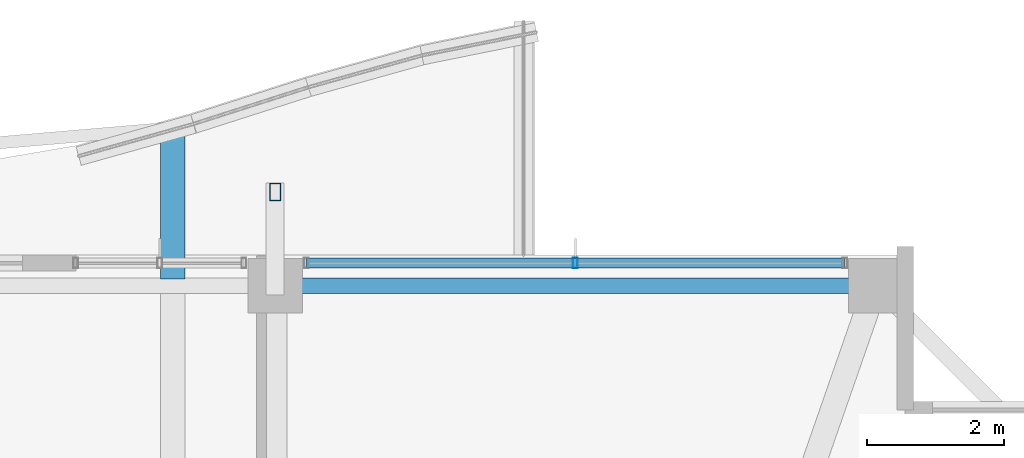
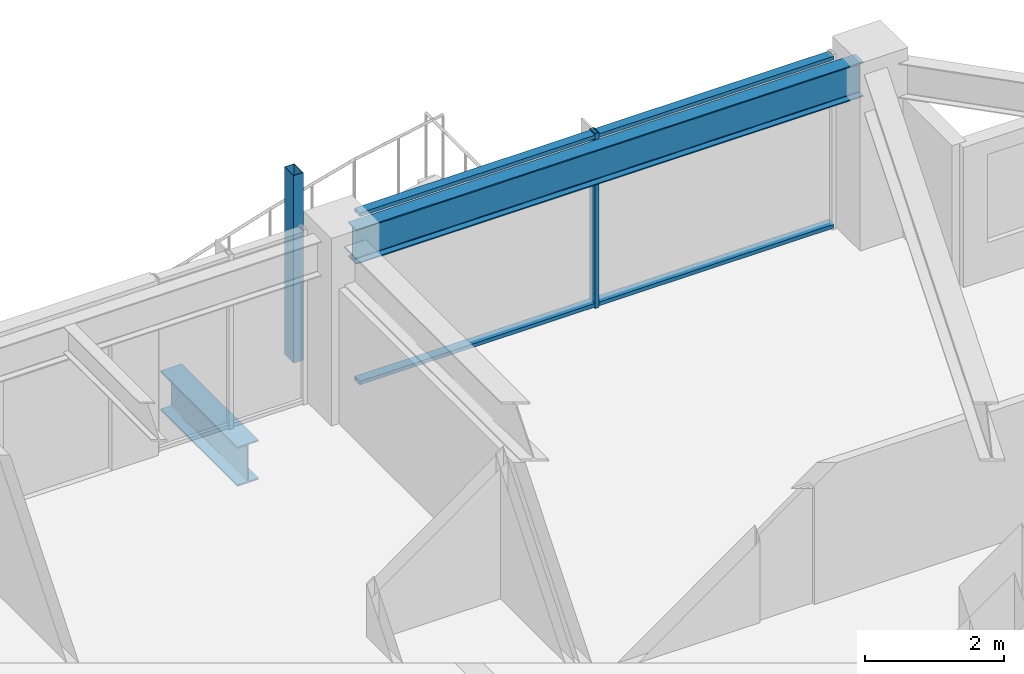
# One storey, part 21 of 38: 4 members, 2 beams, 1 element without a shape of its own.
"""IFC4 building model written with IfcOpenShell, lengths in metres."""

import ifcopenshell
import ifcopenshell.guid

model = None  # the IFC model being written
_history = None  # IfcOwnerHistory: only IFC2X3 demands one
_inside = {}  # id of a spatial element -> (the spatial element, [elements in it])
_under = {}  # id of a project, library or spatial element -> (it, [spatial elements below it])
_declared = {}  # id of a project -> (the project, [libraries it declares])
_typed = {}  # id of a type object -> (the type object, [elements of that type])
_made_of = {}  # id of a material, layer set ... -> (it, [elements and type objects made of it])


def new_model(schema):
    """Start an empty IFC model of exactly this schema.

    Asked for "IFC4X3", IfcOpenShell would pick the latest addendum, in which some entities
    have other attributes; the version numbers below select the first issue.
    IFC2X3 requires an IfcOwnerHistory on every rooted entity: one is made here for all.
    """
    global model, _history
    if schema == "IFC4X3":
        model = ifcopenshell.file(schema_version=(4, 3, 0, 0))
    else:
        model = ifcopenshell.file(schema=schema)
    _inside.clear()
    _under.clear()
    _declared.clear()
    _typed.clear()
    _made_of.clear()
    _history = None
    if model.schema == "IFC2X3":
        org = make("IfcOrganization", Name="unknown")
        user = make(
            "IfcPersonAndOrganization",
            ThePerson=make("IfcPerson", FamilyName="unknown"),
            TheOrganization=org,
        )
        app = make(
            "IfcApplication",
            ApplicationDeveloper=org,
            Version="unknown",
            ApplicationFullName="unknown",
            ApplicationIdentifier="unknown",
        )
        _history = make(
            "IfcOwnerHistory",
            OwningUser=user,
            OwningApplication=app,
            ChangeAction="ADDED",
            CreationDate=0,
        )
    return model


def make(cls, **values):
    """One entity of the class cls with the attributes given. An attribute that is None is left unset."""
    return model.create_entity(
        cls, **{name: value for name, value in values.items() if value is not None}
    )


def rooted(cls, **values):
    """An entity with a GlobalId (a new one), such as an element, a storey or a relation."""
    return make(cls, GlobalId=ifcopenshell.guid.new(), OwnerHistory=_history, **values)


def si_unit(unit_type, name, prefix=None):
    """IfcSIUnit, for example si_unit("LENGTHUNIT", "METRE", prefix="MILLI")."""
    return make("IfcSIUnit", UnitType=unit_type, Prefix=prefix, Name=name)


def assignment(units):
    """IfcUnitAssignment: the units of a project."""
    return None if units is None else make("IfcUnitAssignment", Units=units)


def point(xyz):
    """IfcCartesianPoint."""
    return None if xyz is None else make("IfcCartesianPoint", Coordinates=xyz)


def direction(xyz):
    """IfcDirection."""
    return None if xyz is None else make("IfcDirection", DirectionRatios=xyz)


def frame(location, z_axis=None, x_axis=None):
    """IfcAxis2Placement3D, a coordinate frame: its origin and axes. An axis left out is left unset."""
    return make(
        "IfcAxis2Placement3D",
        Location=point(location),
        Axis=direction(z_axis),
        RefDirection=direction(x_axis),
    )


def frame_2d(location, x_axis=None):
    """IfcAxis2Placement2D, a coordinate frame in the plane: its origin and x axis."""
    return make(
        "IfcAxis2Placement2D", Location=point(location), RefDirection=direction(x_axis)
    )


def origin():
    """The frame at (0, 0, 0) with its axes left unset."""
    return frame((0.0, 0.0, 0.0))


def origin_2d():
    """The frame at (0, 0) in the plane with its x axis left unset."""
    return frame_2d((0.0, 0.0))


def place(relative_to, where):
    """IfcLocalPlacement: puts the frame where relative to a parent placement (None: the world)."""
    return make(
        "IfcLocalPlacement", PlacementRelTo=relative_to, RelativePlacement=where
    )


def context(
    kind, dimensions, precision=None, world=None, true_north=None, identifier=None
):
    """IfcGeometricRepresentationContext, for example the 3D "Model" context."""
    return make(
        "IfcGeometricRepresentationContext",
        ContextIdentifier=identifier,
        ContextType=kind,
        CoordinateSpaceDimension=dimensions,
        Precision=precision,
        WorldCoordinateSystem=world,
        TrueNorth=true_north,
    )


def subcontext(parent, identifier, kind, view, scale=None):
    """IfcGeometricRepresentationSubContext, for example "Body" below "Model"."""
    return make(
        "IfcGeometricRepresentationSubContext",
        ContextIdentifier=identifier,
        ContextType=kind,
        ParentContext=parent,
        TargetScale=scale,
        TargetView=view,
    )


def project(units=None, contexts=None):
    """IfcProject with its units and contexts."""
    return rooted(
        "IfcProject",
        Name="project",
        RepresentationContexts=contexts,
        UnitsInContext=assignment(units),
    )


def spatial(cls, under=None, at=None, **own):
    """A site, building, storey or space (cls), placed at a placement, below another one or the project."""
    s = rooted(cls, ObjectPlacement=at, **own)
    if under is not None:
        _under.setdefault(under.id(), (under, []))[1].append(s)
    return s


def profile(cls, at=None, kind="AREA", **sizes):
    """A parametric profile (cls). Its sizes go by their IFC names, for example OverallWidth=200.0."""
    return make(cls, ProfileType=kind, Position=at, **sizes)


def hollow_rectangle(**sizes):
    """IfcRectangleHollowProfileDef."""
    return profile("IfcRectangleHollowProfileDef", **sizes)


def i_section(**sizes):
    """IfcIShapeProfileDef."""
    return profile("IfcIShapeProfileDef", **sizes)


def extrude(swept, where, along, depth):
    """IfcExtrudedAreaSolid: the profile swept, set in the frame where, extruded along a direction by depth."""
    return make(
        "IfcExtrudedAreaSolid",
        SweptArea=swept,
        Position=where,
        ExtrudedDirection=direction(along),
        Depth=depth,
    )


def shape(context_of_items, identifier, shape_type, items):
    """IfcShapeRepresentation: the items that make up one representation, for example the "Body"."""
    return make(
        "IfcShapeRepresentation",
        ContextOfItems=context_of_items,
        RepresentationIdentifier=identifier,
        RepresentationType=shape_type,
        Items=items,
    )


def material(Name=None, Category=None):
    """IfcMaterial."""
    return make("IfcMaterial", Name=Name, Category=Category)


def material_profile(
    of_material, cross_section, Name=None, Category=None, Priority=None
):
    """IfcMaterialProfile: a cross section and its material."""
    return make(
        "IfcMaterialProfile",
        Name=Name,
        Material=of_material,
        Profile=cross_section,
        Priority=Priority,
        Category=Category,
    )


def profile_set(profiles, Name=None, composite=None):
    """IfcMaterialProfileSet."""
    return make(
        "IfcMaterialProfileSet",
        Name=Name,
        MaterialProfiles=profiles,
        CompositeProfile=composite,
    )


def made_of(thing, what):
    """Note that an element or type object is made of a material, layer set ...; save() writes the relation."""
    if what is not None:
        _made_of.setdefault(what.id(), (what, []))[1].append(thing)
    return thing


def type_object(cls, material=None, **own):
    """A type object (cls), such as IfcWallType, which elements share."""
    return made_of(rooted(cls, **own), material)


def element(
    cls,
    number,
    at=None,
    inside=None,
    cuts=None,
    type_object=None,
    material=None,
    context=None,
    identifier="Body",
    shape_type=None,
    held_by="IfcProductDefinitionShape",
    body=None,
    shapes=None,
    **own,
):
    """One element of the class cls, such as IfcWall. Its Tag is "e" and its number.

    at: its placement. inside: the storey or other place that contains it. cuts: it is an
    opening in that element (IfcRelVoidsElement). A single representation is given by context,
    identifier, shape_type and body (its items); several are given by shapes. held_by: the class
    of the entity that holds the representations. save() writes the other relations.
    """
    e = rooted(cls, Tag="e%d" % number, ObjectPlacement=at, **own)
    if body is not None:
        shapes = [shape(context, identifier, shape_type, body)]
    if shapes is not None:
        e.Representation = make(held_by, Representations=shapes)
    if inside is not None:
        _inside.setdefault(inside.id(), (inside, []))[1].append(e)
    if cuts is not None:
        rooted(
            "IfcRelVoidsElement", RelatingBuildingElement=cuts, RelatedOpeningElement=e
        )
    if type_object is not None:
        _typed.setdefault(type_object.id(), (type_object, []))[1].append(e)
    return made_of(e, material)


def aggregate(whole, parts):
    """IfcRelAggregates: a whole, such as a stair, and the parts it consists of."""
    return rooted("IfcRelAggregates", RelatingObject=whole, RelatedObjects=parts)


def save(model, path):
    """Write the relations noted so far, then the file.

    IfcRelAggregates (storeys below a building ...), IfcRelContainedInSpatialStructure (elements
    in a storey), IfcRelDefinesByType, IfcRelAssociatesMaterial and IfcRelDeclares: one each for
    every whole, place, type object, material and project.
    """
    for whole, parts in _under.values():
        aggregate(whole, parts)
    for where, things in _inside.values():
        rooted(
            "IfcRelContainedInSpatialStructure",
            RelatedElements=things,
            RelatingStructure=where,
        )
    for kind, things in _typed.values():
        rooted("IfcRelDefinesByType", RelatedObjects=things, RelatingType=kind)
    for what, things in _made_of.values():
        rooted("IfcRelAssociatesMaterial", RelatedObjects=things, RelatingMaterial=what)
    for by, libraries in _declared.values():
        rooted("IfcRelDeclares", RelatingContext=by, RelatedDefinitions=libraries)
    model.write(path)


model = new_model("IFC4")

# Units and contexts
model_context = context("Model", 3, precision=1e-05, world=origin(), true_north=direction((0.0, 1.0)))
body_context = subcontext(model_context, "Body", "Model", "MODEL_VIEW")
ifc_project = project(units=[si_unit("LENGTHUNIT", "METRE"), si_unit("AREAUNIT", "SQUARE_METRE"), si_unit("VOLUMEUNIT", "CUBIC_METRE"), si_unit("PLANEANGLEUNIT", "RADIAN"), si_unit("MASSUNIT", "GRAM", prefix="KILO")], contexts=[model_context])

# Site, building, storey
site_placement = place(None, origin())
site = spatial("IfcSite", under=ifc_project, at=site_placement, CompositionType="ELEMENT")
building_placement = place(site_placement, origin())
building = spatial("IfcBuilding", under=site, at=building_placement, Name="Kolvaren Belvedere", CompositionType="ELEMENT")
storey_placement = place(building_placement, frame((0.0, 0.0, 213.0)))
storey = spatial("IfcBuildingStorey", under=building, at=storey_placement, Name="L62", CompositionType="ELEMENT", Elevation=213.0)

# Beams
ifc_material_1 = material(Name="Structural steel ASTM A992 Grade 50", Category="steel")
ifc_material_profile_1 = material_profile(ifc_material_1, i_section(OverallWidth=0.35498046875, OverallDepth=0.696044921875, WebThickness=0.015380859375, FlangeThickness=0.02490234375, FilletRadius=0.02197265625, at=origin_2d()), Name="W27X146")
ifc_profile_set_1 = profile_set([ifc_material_profile_1], Name="Structural steel ASTM A992 Grade 50")
beam_type_1 = type_object("IfcBeamType", Name="BM-CANT-BAL", PredefinedType="BEAM", material=ifc_profile_set_1)
beam_1_placement = place(storey_placement, frame((3.10009765625, 20.044921875, -0.568115234375), z_axis=(0.0, 1.0, 0.0), x_axis=(-1.0, 0.0, 0.0)))
element("IfcBeam", 1, at=beam_1_placement, inside=storey, type_object=beam_type_1, Name="L62 Planted Balcony Cantilever BAL-N-2", PredefinedType="BEAM", context=body_context, shape_type="SweptSolid", body=[
    extrude(i_section(OverallWidth=0.35498046875, OverallDepth=0.696044921875, WebThickness=0.015380859375, FlangeThickness=0.02490234375, FilletRadius=0.02197265625, at=origin_2d()), origin(), (0.0, 0.0, 1.0), 2.213623046875),
])
ifc_material_2 = material(Name="Structural steel ASTM A992 Grade 50", Category="steel")
ifc_material_profile_2 = material_profile(ifc_material_2, i_section(OverallWidth=0.22900390625, OverallDepth=0.612060546875, WebThickness=0.011962890625, FlangeThickness=0.01953125, FilletRadius=0.01806640625, at=origin_2d()), Name="W24X84")
ifc_profile_set_2 = profile_set([ifc_material_profile_2], Name="Structural steel ASTM A992 Grade 50")
beam_type_2 = type_object("IfcBeamType", Name="BM-SPAN-W24X84", PredefinedType="SPANDREL", material=ifc_profile_set_2)
beam_2_placement = place(storey_placement, frame((13.219970703125, 19.949951171875, 2.77392578125), z_axis=(-1.0, 0.0, 0.0), x_axis=(0.0, -1.0, 0.0)))
element("IfcBeam", 2, at=beam_2_placement, inside=storey, type_object=beam_type_2, Name="L62 Perimeter Spandrel N4-N3", PredefinedType="SPANDREL", context=body_context, shape_type="SweptSolid", body=[
    extrude(i_section(OverallWidth=0.22900390625, OverallDepth=0.612060546875, WebThickness=0.011962890625, FlangeThickness=0.01953125, FilletRadius=0.01806640625, at=origin_2d()), origin(), (0.0, 0.0, 1.0), 8.43994140625),
])

# Curtain wall, members
ifc_material_3 = material(Name="Anodised pale-metal aluminium AA 6063-T6", Category="aluminium")
curtain_wall_type = type_object("IfcCurtainWallType", Name="CW-Z5-HIGH", PredefinedType="NOTDEFINED", material=ifc_material_3)
curtain_wall_placement = place(storey_placement, origin())
curtain_wall = element("IfcCurtainWall", 3, at=curtain_wall_placement, inside=storey, type_object=curtain_wall_type, Name="L62 Unitised Curtain Wall FCW-L62-N2-B2", PredefinedType="NOTDEFINED")
ifc_material_4 = material(Name="Anodised pale-metal aluminium AA 6063-T6", Category="aluminium")
ifc_material_profile_3 = material_profile(ifc_material_4, hollow_rectangle(XDim=0.070068359375, YDim=0.14990234375, WallThickness=0.004150390625, at=origin_2d()), Name="ALU-MUL-150X70")
ifc_profile_set_3 = profile_set([ifc_material_profile_3], Name="Anodised pale-metal aluminium AA 6063-T6")
member_type_1 = type_object("IfcMemberType", Name="CW-MUL-150", PredefinedType="MULLION", material=ifc_profile_set_3)
member_1_placement = place(storey_placement, frame((9.0, 20.280029296875, 0.0), z_axis=(0.0, 0.0, 1.0), x_axis=(1.0, 0.0, 0.0)))
member_1 = element("IfcMember", 4, at=member_1_placement, type_object=member_type_1, Name="FCW-L62-N2-B2 Unitised Mullion 2", PredefinedType="MULLION", context=body_context, shape_type="SweptSolid", body=[
    extrude(hollow_rectangle(XDim=0.070068359375, YDim=0.14990234375, WallThickness=0.004150390625, at=origin_2d()), origin(), (0.0, 0.0, 1.0), 3.080078125),
])
ifc_material_5 = material(Name="Anodised pale-metal aluminium AA 6063-T6", Category="aluminium")
ifc_material_profile_4 = material_profile(ifc_material_5, hollow_rectangle(XDim=0.06494140625, YDim=0.14990234375, WallThickness=0.00390625, at=origin_2d()), Name="ALU-TRN-150X65")
ifc_profile_set_4 = profile_set([ifc_material_profile_4], Name="Anodised pale-metal aluminium AA 6063-T6")
member_type_2 = type_object("IfcMemberType", Name="CW-TRN-150", PredefinedType="USERDEFINED", material=ifc_profile_set_4)
member_2_placement = place(storey_placement, frame((5.054931640625, 20.280029296875, 0.06005859375), z_axis=(1.0, 0.0, 0.0), x_axis=(0.0, 0.0, 1.0)))
member_2 = element("IfcMember", 5, at=member_2_placement, type_object=member_type_2, Name="FCW-L62-N2-B2 Sill Transom", ObjectType="TRANSOM", PredefinedType="USERDEFINED", context=body_context, shape_type="SweptSolid", body=[
    extrude(hollow_rectangle(XDim=0.06494140625, YDim=0.14990234375, WallThickness=0.00390625, at=origin_2d()), origin(), (0.0, 0.0, 1.0), 7.89013671875),
])
member_3_placement = place(storey_placement, frame((5.054931640625, 20.280029296875, 3.02001953125), z_axis=(1.0, 0.0, 0.0), x_axis=(0.0, 0.0, 1.0)))
member_3 = element("IfcMember", 6, at=member_3_placement, type_object=member_type_2, Name="FCW-L62-N2-B2 Head Transom", ObjectType="TRANSOM", PredefinedType="USERDEFINED", context=body_context, shape_type="SweptSolid", body=[
    extrude(hollow_rectangle(XDim=0.06494140625, YDim=0.14990234375, WallThickness=0.00390625, at=origin_2d()), origin(), (0.0, 0.0, 1.0), 7.89013671875),
])
aggregate(curtain_wall, [member_1, member_2, member_3])

# Member
ifc_material_6 = material(Name="Anodised pale-metal aluminium AA 6063-T6", Category="aluminium")
ifc_material_profile_5 = material_profile(ifc_material_6, hollow_rectangle(XDim=0.159912109375, YDim=0.260009765625, WallThickness=0.006591796875, at=origin_2d()), Name="ALU-PF-260X160")
ifc_profile_set_5 = profile_set([ifc_material_profile_5], Name="Anodised pale-metal aluminium AA 6063-T6")
member_type_3 = type_object("IfcMemberType", Name="PF-FRAME-260", PredefinedType="USERDEFINED", material=ifc_profile_set_5)
member_4_placement = place(storey_placement, frame((4.60009765625, 21.320068359375, 0.0), z_axis=(0.0, 0.0, 1.0), x_axis=(1.0, 0.0, 0.0)))
element("IfcMember", 7, at=member_4_placement, inside=storey, type_object=member_type_3, Name="L62 Outboard Picture-Frame Vertical N2", ObjectType="PICTURE FRAME FIN", PredefinedType="USERDEFINED", context=body_context, shape_type="SweptSolid", body=[
    extrude(hollow_rectangle(XDim=0.159912109375, YDim=0.260009765625, WallThickness=0.006591796875, at=origin_2d()), origin(), (0.0, 0.0, 1.0), 3.300048828125),
])

save(model, "model.ifc")
